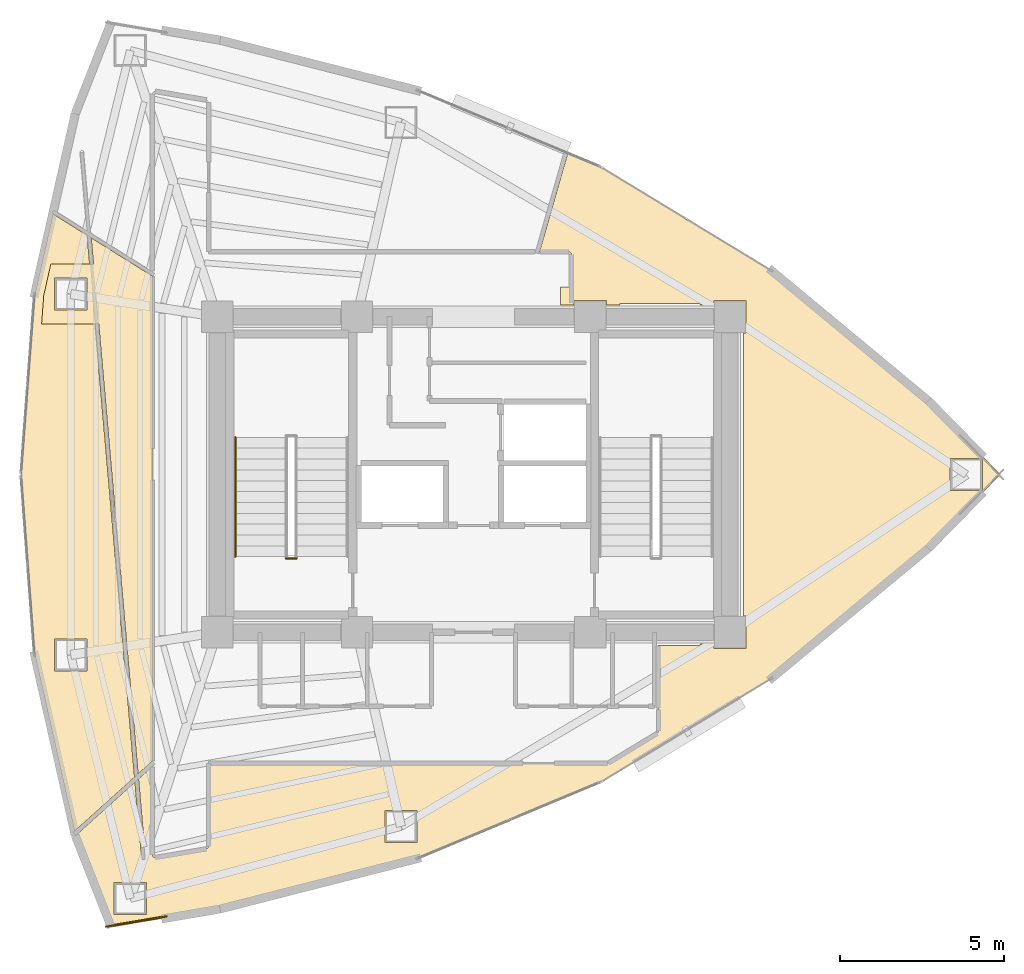
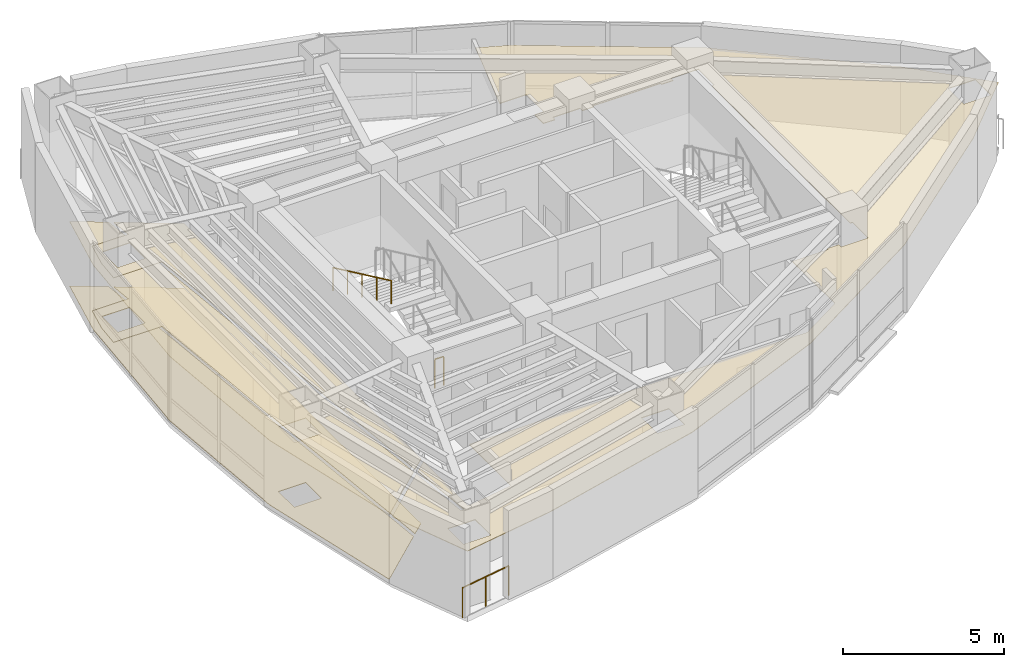
# One storey, part 14 of 16: 5 coverings, 3 railings.
"""IFC4 building model written with IfcOpenShell, lengths in metres."""

from ifc_helpers import new_model, si_unit, direction, frame, origin, origin_2d, place, context, subcontext, project, spatial, polyline, circle, outline, extrude, material, layer, layer_set, type_object, element, save


model = new_model("IFC4")

# Units and contexts
model_context = context("Model", 3, precision=1e-05, world=origin(), true_north=direction((0.0, 1.0)))
body_context = subcontext(model_context, "Body", "Model", "MODEL_VIEW")
ifc_project = project(units=[si_unit("LENGTHUNIT", "METRE"), si_unit("AREAUNIT", "SQUARE_METRE"), si_unit("VOLUMEUNIT", "CUBIC_METRE"), si_unit("PLANEANGLEUNIT", "RADIAN"), si_unit("MASSUNIT", "GRAM", prefix="KILO")], contexts=[model_context])

# Site, building, storey
site_placement = place(None, origin())
site = spatial("IfcSite", under=ifc_project, at=site_placement, CompositionType="ELEMENT")
building_placement = place(site_placement, origin())
building = spatial("IfcBuilding", under=site, at=building_placement, Name="Menara Vayukalpa", CompositionType="ELEMENT")
storey_placement = place(building_placement, frame((0.0, 0.0, 210.1201171875)))
storey = spatial("IfcBuildingStorey", under=building, at=storey_placement, Name="L53", CompositionType="ELEMENT", Elevation=210.1201171875)

# Coverings
ifc_material_1 = material(Name="Mineral Fibre Acoustic Ceiling Tile", Category="masonry")
ifc_layer_1 = layer(ifc_material_1, 0.02490234375)
ifc_layer_set_1 = layer_set([ifc_layer_1], Name="Mineral Fibre Acoustic Ceiling Tile")
covering_type_1 = type_object("IfcCoveringType", Name="COV-CLG1", PredefinedType="CEILING", material=ifc_layer_set_1)
covering_1_placement = place(storey_placement, frame((0.0, 0.0, 2.449951171875)))
element("IfcCovering", 1, at=covering_1_placement, inside=storey, type_object=covering_type_1, Name="L53 Open Plan Office Workplace Acoustic Ceiling", PredefinedType="CEILING", context=body_context, shape_type="SweptSolid", body=[
    extrude(outline(polyline([(11.84228515625, 22.0), (11.84228515625, 22.000732421875), (12.25390625, 27.48681640625), (12.25390625, 27.48828125), (12.79931640625, 29.912109375), (12.7998046875, 29.9130859375), (12.800048828125, 29.9140625), (12.800537109375, 29.9150390625), (12.801025390625, 29.915771484375), (12.8017578125, 29.91650390625), (12.802490234375, 29.917236328125), (12.80322265625, 29.91796875), (12.803955078125, 29.91845703125), (12.804931640625, 29.9189453125), (12.805908203125, 29.91943359375), (12.806884765625, 29.919677734375), (12.807861328125, 29.919921875), (12.808837890625, 29.919921875), (12.809814453125, 29.919921875), (12.810791015625, 29.919921875), (12.811767578125, 29.919677734375), (12.812744140625, 29.91943359375), (12.813720703125, 29.9189453125), (12.814453125, 29.91845703125), (13.83544921875, 29.280517578125), (13.836181640625, 29.27978515625), (13.837158203125, 29.279296875), (13.837890625, 29.278564453125), (13.83837890625, 29.277587890625), (13.839111328125, 29.27685546875), (13.83935546875, 29.27587890625), (13.83984375, 29.27490234375), (13.840087890625, 29.27392578125), (13.840087890625, 29.27294921875), (13.91650390625, 28.399169921875), (14.25390625, 28.399169921875), (14.25390625, 26.5791015625), (14.07568359375, 26.5791015625), (15.28173828125, 12.795654296875), (15.28173828125, 12.79443359375), (15.28173828125, 12.79345703125), (15.281494140625, 12.79248046875), (15.28125, 12.79150390625), (15.281005859375, 12.79052734375), (15.280517578125, 12.78955078125), (15.27978515625, 12.788818359375), (15.279296875, 12.7880859375), (15.278564453125, 12.787353515625), (13.47314453125, 11.16162109375), (13.472412109375, 11.160888671875), (13.471435546875, 11.160400390625), (13.470703125, 11.159912109375), (13.4697265625, 11.15966796875), (13.46875, 11.159423828125), (13.4677734375, 11.1591796875), (13.466796875, 11.1591796875), (13.4658203125, 11.1591796875), (13.46484375, 11.1591796875), (13.4638671875, 11.159423828125), (13.462890625, 11.15966796875), (13.4619140625, 11.16015625), (13.461181640625, 11.16064453125), (13.460205078125, 11.1611328125), (13.459716796875, 11.161865234375), (13.458984375, 11.16259765625), (13.458251953125, 11.163330078125), (13.457763671875, 11.1640625), (13.457275390625, 11.1650390625), (13.456787109375, 11.166015625), (13.45654296875, 11.1669921875), (12.25390625, 16.51171875), (12.25390625, 16.51318359375), (11.84228515625, 21.999267578125), (11.84228515625, 22.0)]), holes=[polyline([(13.833984375, 17.000732421875), (12.85400390625, 17.000732421875), (12.85400390625, 16.020751953125), (13.833984375, 16.020751953125), (13.833984375, 17.000732421875)]), polyline([(13.833984375, 27.979248046875), (12.85400390625, 27.979248046875), (12.85400390625, 26.999267578125), (13.833984375, 26.999267578125), (13.833984375, 27.979248046875)])]), origin(), (0.0, 0.0, 1.0), 0.02490234375),
])
covering_2_placement = place(storey_placement, frame((0.0, 0.0, 2.449951171875)))
element("IfcCovering", 2, at=covering_2_placement, inside=storey, type_object=covering_type_1, Name="L53 Open Plan Office Workplace Acoustic Ceiling", PredefinedType="CEILING", context=body_context, shape_type="SweptSolid", body=[
    extrude(outline(polyline([(32.909912109375, 16.85009765625), (32.909912109375, 16.7099609375), (33.889892578125, 16.7099609375), (33.889892578125, 17.68994140625), (33.81005859375, 17.68994140625), (33.81005859375, 26.31005859375), (33.889892578125, 26.31005859375), (33.889892578125, 27.2900390625), (32.909912109375, 27.2900390625), (32.909912109375, 27.14990234375), (32.489990234375, 27.14990234375), (32.489990234375, 27.2099609375), (30.06005859375, 27.2099609375), (30.06005859375, 27.14990234375), (29.639892578125, 27.14990234375), (29.639892578125, 27.2900390625), (28.659912109375, 27.2900390625), (28.659912109375, 27.14990234375), (28.239990234375, 27.14990234375), (28.239990234375, 27.7099609375), (28.570068359375, 27.7099609375), (28.570068359375, 28.69970703125), (28.569580078125, 28.706787109375), (28.568603515625, 28.713623046875), (28.56689453125, 28.72021484375), (28.564697265625, 28.726806640625), (28.561767578125, 28.73291015625), (28.55810546875, 28.73876953125), (28.553955078125, 28.744384765625), (28.549560546875, 28.74951171875), (28.54443359375, 28.75390625), (28.538818359375, 28.75830078125), (28.532958984375, 28.76171875), (28.52685546875, 28.7646484375), (28.520263671875, 28.76708984375), (28.513671875, 28.768798828125), (28.5068359375, 28.76953125), (28.499755859375, 28.77001953125), (27.616943359375, 28.77001953125), (27.615966796875, 28.77001953125), (27.614990234375, 28.770263671875), (27.614013671875, 28.7705078125), (27.61328125, 28.770751953125), (27.6123046875, 28.771240234375), (27.611572265625, 28.771728515625), (27.610595703125, 28.772216796875), (27.610107421875, 28.77294921875), (27.609375, 28.773681640625), (27.608642578125, 28.7744140625), (27.608154296875, 28.775146484375), (27.60791015625, 28.776123046875), (27.607421875, 28.777099609375), (27.607177734375, 28.77783203125), (27.607177734375, 28.77880859375), (27.60693359375, 28.77978515625), (27.60693359375, 28.78076171875), (27.607177734375, 28.78173828125), (27.607421875, 28.78271484375), (28.459228515625, 31.75390625), (28.459716796875, 31.754638671875), (28.4599609375, 31.755615234375), (28.46044921875, 31.756591796875), (28.461181640625, 31.75732421875), (28.4619140625, 31.758056640625), (28.46240234375, 31.7587890625), (28.46337890625, 31.75927734375), (28.464111328125, 31.759765625), (28.465087890625, 31.76025390625), (28.466064453125, 31.760498046875), (28.466796875, 31.7607421875), (28.468017578125, 31.760986328125), (28.468994140625, 31.760986328125), (28.469970703125, 31.760986328125), (28.470947265625, 31.7607421875), (28.4716796875, 31.760498046875), (28.472900390625, 31.76025390625), (29.478515625, 31.33935546875), (29.479248046875, 31.339111328125), (29.47998046875, 31.338623046875), (34.660888671875, 28.19140625), (34.662109375, 28.190673828125), (39.431884765625, 24.235107421875), (39.4326171875, 24.234375), (41.61962890625, 22.007080078125), (41.620361328125, 22.00634765625), (41.620849609375, 22.005615234375), (41.621337890625, 22.004638671875), (41.621826171875, 22.00390625), (41.6220703125, 22.0029296875), (41.622314453125, 22.001953125), (41.62255859375, 22.0009765625), (41.62255859375, 22.0), (41.62255859375, 21.9990234375), (41.622314453125, 21.998046875), (41.6220703125, 21.9970703125), (41.621826171875, 21.99609375), (41.621337890625, 21.995361328125), (41.620849609375, 21.994384765625), (41.620361328125, 21.99365234375), (41.61962890625, 21.992919921875), (39.4326171875, 19.765625), (39.431884765625, 19.764892578125), (34.662109375, 15.809326171875), (34.660888671875, 15.80859375), (29.47998046875, 12.661376953125), (29.479248046875, 12.660888671875), (29.478515625, 12.66064453125), (23.885986328125, 10.3212890625), (23.884765625, 10.32080078125), (17.8798828125, 8.789306640625), (17.879150390625, 8.7890625), (14.59423828125, 8.2314453125), (14.59326171875, 8.231201171875), (14.59228515625, 8.231201171875), (14.59130859375, 8.2314453125), (14.59033203125, 8.2314453125), (14.58935546875, 8.231689453125), (14.58837890625, 8.232177734375), (14.587646484375, 8.232666015625), (14.5869140625, 8.233154296875), (14.5859375, 8.233642578125), (14.585205078125, 8.234375), (14.584716796875, 8.235107421875), (14.583984375, 8.23583984375), (14.58349609375, 8.23681640625), (14.583251953125, 8.237548828125), (13.494140625, 11.010498046875), (13.493896484375, 11.011474609375), (13.49365234375, 11.012451171875), (13.493408203125, 11.01318359375), (13.493408203125, 11.014404296875), (13.49365234375, 11.015380859375), (13.49365234375, 11.01611328125), (13.493896484375, 11.01708984375), (13.494384765625, 11.01806640625), (13.49462890625, 11.018798828125), (13.4951171875, 11.019775390625), (13.49560546875, 11.0205078125), (13.496337890625, 11.021240234375), (13.4970703125, 11.02197265625), (13.498779296875, 11.023193359375), (15.280517578125, 12.62744140625), (15.28125, 12.6279296875), (15.281982421875, 12.628662109375), (15.28271484375, 12.62890625), (15.28369140625, 12.62939453125), (15.28466796875, 12.629638671875), (15.28564453125, 12.6298828125), (15.28662109375, 12.6298828125), (15.28759765625, 12.6298828125), (15.288330078125, 12.6298828125), (15.289306640625, 12.629638671875), (15.290283203125, 12.62939453125), (15.291259765625, 12.629150390625), (15.2919921875, 12.628662109375), (15.29296875, 12.628173828125), (15.293701171875, 12.627685546875), (15.294189453125, 12.626953125), (15.294921875, 12.626220703125), (15.29541015625, 12.62548828125), (15.2958984375, 12.62451171875), (15.29638671875, 12.623779296875), (15.296630859375, 12.622802734375), (15.296875, 12.621826171875), (15.297119140625, 12.620849609375), (15.501953125, 10.279052734375), (15.502685546875, 10.27294921875), (15.504150390625, 10.26708984375), (15.506103515625, 10.26171875), (15.508544921875, 10.256103515625), (15.511474609375, 10.251220703125), (15.514892578125, 10.246337890625), (15.518798828125, 10.241943359375), (15.523193359375, 10.238037109375), (15.52783203125, 10.234619140625), (15.532958984375, 10.2314453125), (15.5380859375, 10.228759765625), (15.543701171875, 10.226806640625), (15.54931640625, 10.225341796875), (15.55517578125, 10.224365234375), (15.56103515625, 10.22412109375), (15.56689453125, 10.22412109375), (15.57275390625, 10.22509765625), (15.57861328125, 10.226318359375), (15.583984375, 10.228271484375), (15.589599609375, 10.230712890625), (15.594482421875, 10.233642578125), (15.599365234375, 10.2373046875), (15.603759765625, 10.2412109375), (15.607666015625, 10.245361328125), (15.611083984375, 10.25), (15.6142578125, 10.255126953125), (15.616943359375, 10.260498046875), (15.618896484375, 10.26611328125), (15.62060546875, 10.271484375), (15.621337890625, 10.27734375), (15.62158203125, 10.283203125), (15.62158203125, 10.28955078125), (15.407470703125, 12.736328125), (15.407470703125, 12.737548828125), (15.407470703125, 12.738525390625), (15.40771484375, 12.739501953125), (15.407958984375, 12.740478515625), (15.408203125, 12.741455078125), (15.40869140625, 12.7421875), (15.4091796875, 12.7431640625), (15.409912109375, 12.743896484375), (15.41064453125, 12.74462890625), (15.813232421875, 13.107421875), (15.814208984375, 13.10791015625), (15.81494140625, 13.1083984375), (15.81591796875, 13.10888671875), (15.816650390625, 13.109375), (15.817626953125, 13.109619140625), (15.818603515625, 13.10986328125), (15.819580078125, 13.10986328125), (15.82080078125, 13.10986328125), (15.82177734375, 13.10986328125), (15.82275390625, 13.109619140625), (15.823486328125, 13.109130859375), (15.824462890625, 13.10888671875), (15.825439453125, 13.1083984375), (15.826171875, 13.107666015625), (15.826904296875, 13.107177734375), (15.82763671875, 13.1064453125), (15.828125, 13.105712890625), (15.828857421875, 13.104736328125), (15.8291015625, 13.103759765625), (15.82958984375, 13.102783203125), (15.829833984375, 13.101806640625), (15.829833984375, 13.100830078125), (15.830078125, 13.099853515625), (15.830078125, 10.421142578125), (15.830322265625, 10.414306640625), (15.831298828125, 10.407470703125), (15.8330078125, 10.40087890625), (15.835205078125, 10.39453125), (15.837890625, 10.388427734375), (15.841552734375, 10.382568359375), (15.845458984375, 10.376953125), (15.849853515625, 10.3720703125), (15.854736328125, 10.367431640625), (15.860107421875, 10.36328125), (15.865966796875, 10.35986328125), (15.8720703125, 10.356689453125), (15.87841796875, 10.354248046875), (15.884765625, 10.3525390625), (15.8916015625, 10.351318359375), (15.898193359375, 10.350830078125), (15.905029296875, 10.35107421875), (15.912109375, 10.351806640625), (17.471435546875, 10.61669921875), (17.478515625, 10.6181640625), (17.485107421875, 10.62060546875), (17.49169921875, 10.623291015625), (17.497802734375, 10.626708984375), (17.50341796875, 10.630859375), (17.508544921875, 10.635498046875), (17.513427734375, 10.640625), (17.517822265625, 10.646240234375), (17.521484375, 10.652099609375), (17.5244140625, 10.658447265625), (17.52685546875, 10.664794921875), (17.528564453125, 10.671875), (17.529541015625, 10.6787109375), (17.530029296875, 10.685791015625), (17.530029296875, 13.2099609375), (17.530029296875, 13.2109375), (17.5302734375, 13.2119140625), (17.530517578125, 13.212890625), (17.53076171875, 13.2138671875), (17.53125, 13.214599609375), (17.53173828125, 13.215576171875), (17.5322265625, 13.21630859375), (17.532958984375, 13.217041015625), (17.53369140625, 13.2177734375), (17.534423828125, 13.21826171875), (17.535400390625, 13.21875), (17.5361328125, 13.21923828125), (17.537109375, 13.219482421875), (17.5380859375, 13.2197265625), (17.5390625, 13.219970703125), (17.5400390625, 13.219970703125), (29.667236328125, 13.219970703125), (29.673828125, 13.22021484375), (29.68017578125, 13.22119140625), (29.686279296875, 13.22265625), (29.6923828125, 13.224609375), (29.6982421875, 13.22705078125), (29.7041015625, 13.230224609375), (31.18603515625, 14.130615234375), (31.1923828125, 14.134765625), (31.19775390625, 14.139404296875), (31.20263671875, 14.14453125), (31.20703125, 14.150146484375), (31.2109375, 14.15625), (31.214111328125, 14.16259765625), (31.216552734375, 14.16943359375), (31.218505859375, 14.176513671875), (31.219482421875, 14.183349609375), (31.219970703125, 14.19091796875), (31.219970703125, 14.849609375), (31.219482421875, 14.856689453125), (31.21875, 14.86376953125), (31.217041015625, 14.870361328125), (31.214599609375, 14.876708984375), (31.2119140625, 14.8828125), (31.211669921875, 14.883056640625), (31.211181640625, 14.8837890625), (31.210693359375, 14.884765625), (31.21044921875, 14.8857421875), (31.210205078125, 14.88671875), (31.2099609375, 14.8876953125), (31.2099609375, 14.888671875), (31.2099609375, 16.780029296875), (31.2099609375, 16.781005859375), (31.210205078125, 16.781982421875), (31.21044921875, 16.782958984375), (31.210693359375, 16.78369140625), (31.211181640625, 16.78466796875), (31.211669921875, 16.78564453125), (31.21240234375, 16.786376953125), (31.212890625, 16.787109375), (31.213623046875, 16.78759765625), (31.21435546875, 16.788330078125), (31.21533203125, 16.788818359375), (31.21630859375, 16.789306640625), (31.217041015625, 16.78955078125), (31.218017578125, 16.789794921875), (31.218994140625, 16.7900390625), (31.219970703125, 16.7900390625), (32.489990234375, 16.7900390625), (32.489990234375, 16.85009765625), (32.909912109375, 16.85009765625)]), holes=[polyline([(14.664794921875, 9.58740234375), (14.664794921875, 8.607421875), (15.644775390625, 8.607421875), (15.644775390625, 9.58740234375), (14.664794921875, 9.58740234375)]), polyline([(23.87939453125, 11.781494140625), (22.8994140625, 11.781494140625), (22.8994140625, 10.801513671875), (23.87939453125, 10.801513671875), (23.87939453125, 11.781494140625)]), polyline([(41.08056640625, 22.489990234375), (40.1005859375, 22.489990234375), (40.1005859375, 21.510009765625), (41.08056640625, 21.510009765625), (41.08056640625, 22.489990234375)])]), origin(), (0.0, 0.0, 1.0), 0.02490234375),
])
covering_3_placement = place(storey_placement, frame((0.0, 0.0, 2.449951171875)))
element("IfcCovering", 3, at=covering_3_placement, inside=storey, type_object=covering_type_1, Name="L53 Visitor Reception Lounge Acoustic Ceiling", PredefinedType="CEILING", context=body_context, shape_type="SweptSolid", body=[
    extrude(outline(polyline([(15.829833984375, 13.286376953125), (15.82958984375, 13.285400390625), (15.829345703125, 13.28466796875), (15.828857421875, 13.28369140625), (15.82861328125, 13.282958984375), (15.827880859375, 13.281982421875), (15.827392578125, 13.281494140625), (15.82666015625, 13.28076171875), (15.40869140625, 12.904541015625), (15.407958984375, 12.904052734375), (15.4072265625, 12.9033203125), (15.406494140625, 12.903076171875), (15.405517578125, 12.902587890625), (15.404541015625, 12.90234375), (15.403564453125, 12.902099609375), (15.402587890625, 12.902099609375), (15.401611328125, 12.902099609375), (15.40087890625, 12.902099609375), (15.39990234375, 12.90234375), (15.39892578125, 12.902587890625), (15.39794921875, 12.90283203125), (15.397216796875, 12.9033203125), (15.396240234375, 12.90380859375), (15.3955078125, 12.904296875), (15.39501953125, 12.905029296875), (15.394287109375, 12.90576171875), (15.393798828125, 12.906494140625), (15.393310546875, 12.907470703125), (15.392822265625, 12.908203125), (15.392578125, 12.9091796875), (15.392333984375, 12.91015625), (15.39208984375, 12.9111328125), (14.1962890625, 26.5791015625), (12.45654296875, 26.5791015625), (12.521728515625, 27.44775390625), (12.73583984375, 28.399169921875), (14.037109375, 28.399169921875), (13.968994140625, 29.17822265625), (13.968994140625, 29.17919921875), (13.968994140625, 29.18017578125), (13.968994140625, 29.18115234375), (13.96923828125, 29.181884765625), (13.9697265625, 29.182861328125), (13.97021484375, 29.183837890625), (13.970703125, 29.1845703125), (13.97119140625, 29.185302734375), (13.9716796875, 29.18603515625), (13.972412109375, 29.186767578125), (13.973388671875, 29.1875), (13.97412109375, 29.18798828125), (13.97509765625, 29.188232421875), (13.975830078125, 29.188720703125), (13.976806640625, 29.18896484375), (13.977783203125, 29.18896484375), (13.978759765625, 29.189208984375), (13.979736328125, 29.189208984375), (13.980712890625, 29.18896484375), (13.981689453125, 29.188720703125), (13.982421875, 29.1884765625), (13.9833984375, 29.18798828125), (13.984130859375, 29.1875), (15.8251953125, 28.037109375), (15.826171875, 28.03662109375), (15.826904296875, 28.035888671875), (15.82763671875, 28.03515625), (15.828125, 28.034423828125), (15.82861328125, 28.033447265625), (15.8291015625, 28.03271484375), (15.82958984375, 28.03173828125), (15.829833984375, 28.03076171875), (15.829833984375, 28.02978515625), (15.830078125, 28.02880859375), (15.830078125, 13.2880859375), (15.830078125, 13.287353515625), (15.829833984375, 13.286376953125)]), holes=[polyline([(13.833984375, 27.979248046875), (12.85400390625, 27.979248046875), (12.85400390625, 26.999267578125), (13.833984375, 26.999267578125), (13.833984375, 27.979248046875)])]), origin(), (0.0, 0.0, 1.0), 0.02490234375),
])
ifc_material_2 = material(Name="Porcelain Stoneware Floor Tile", Category="masonry")
ifc_layer_2 = layer(ifc_material_2, 0.02001953125)
ifc_layer_set_2 = layer_set([ifc_layer_2], Name="Porcelain Stoneware Floor Tile")
covering_type_2 = type_object("IfcCoveringType", Name="COV-FLR1", PredefinedType="FLOORING", material=ifc_layer_set_2)
covering_4_placement = place(storey_placement, origin())
element("IfcCovering", 4, at=covering_4_placement, inside=storey, type_object=covering_type_2, Name="L53 Open Plan Office Workplace Porcelain Flooring", PredefinedType="FLOORING", context=body_context, shape_type="SweptSolid", body=[
    extrude(outline(polyline([(11.84228515625, 22.0), (11.84228515625, 22.000732421875), (12.25390625, 27.48681640625), (12.25390625, 27.48828125), (12.79931640625, 29.912109375), (12.7998046875, 29.9130859375), (12.800048828125, 29.9140625), (12.800537109375, 29.9150390625), (12.801025390625, 29.915771484375), (12.8017578125, 29.91650390625), (12.802490234375, 29.917236328125), (12.80322265625, 29.91796875), (12.803955078125, 29.91845703125), (12.804931640625, 29.9189453125), (12.805908203125, 29.91943359375), (12.806884765625, 29.919677734375), (12.807861328125, 29.919921875), (12.808837890625, 29.919921875), (12.809814453125, 29.919921875), (12.810791015625, 29.919921875), (12.811767578125, 29.919677734375), (12.812744140625, 29.91943359375), (12.813720703125, 29.9189453125), (12.814453125, 29.91845703125), (13.83544921875, 29.280517578125), (13.836181640625, 29.27978515625), (13.837158203125, 29.279296875), (13.837890625, 29.278564453125), (13.83837890625, 29.277587890625), (13.839111328125, 29.27685546875), (13.83935546875, 29.27587890625), (13.83984375, 29.27490234375), (13.840087890625, 29.27392578125), (13.840087890625, 29.27294921875), (13.91650390625, 28.399169921875), (14.25390625, 28.399169921875), (14.25390625, 26.5791015625), (14.07568359375, 26.5791015625), (15.28173828125, 12.795654296875), (15.28173828125, 12.79443359375), (15.28173828125, 12.79345703125), (15.281494140625, 12.79248046875), (15.28125, 12.79150390625), (15.281005859375, 12.79052734375), (15.280517578125, 12.78955078125), (15.27978515625, 12.788818359375), (15.279296875, 12.7880859375), (15.278564453125, 12.787353515625), (13.47314453125, 11.16162109375), (13.472412109375, 11.160888671875), (13.471435546875, 11.160400390625), (13.470703125, 11.159912109375), (13.4697265625, 11.15966796875), (13.46875, 11.159423828125), (13.4677734375, 11.1591796875), (13.466796875, 11.1591796875), (13.4658203125, 11.1591796875), (13.46484375, 11.1591796875), (13.4638671875, 11.159423828125), (13.462890625, 11.15966796875), (13.4619140625, 11.16015625), (13.461181640625, 11.16064453125), (13.460205078125, 11.1611328125), (13.459716796875, 11.161865234375), (13.458984375, 11.16259765625), (13.458251953125, 11.163330078125), (13.457763671875, 11.1640625), (13.457275390625, 11.1650390625), (13.456787109375, 11.166015625), (13.45654296875, 11.1669921875), (12.25390625, 16.51171875), (12.25390625, 16.51318359375), (11.84228515625, 21.999267578125), (11.84228515625, 22.0)]), holes=[polyline([(13.833984375, 17.000732421875), (12.85400390625, 17.000732421875), (12.85400390625, 16.020751953125), (13.833984375, 16.020751953125), (13.833984375, 17.000732421875)]), polyline([(13.833984375, 27.979248046875), (12.85400390625, 27.979248046875), (12.85400390625, 26.999267578125), (13.833984375, 26.999267578125), (13.833984375, 27.979248046875)])]), origin(), (0.0, 0.0, 1.0), 0.019775390625),
])
covering_5_placement = place(storey_placement, origin())
element("IfcCovering", 5, at=covering_5_placement, inside=storey, type_object=covering_type_2, Name="L53 Visitor Reception Lounge Porcelain Flooring", PredefinedType="FLOORING", context=body_context, shape_type="SweptSolid", body=[
    extrude(outline(polyline([(15.829833984375, 13.286376953125), (15.82958984375, 13.285400390625), (15.829345703125, 13.28466796875), (15.828857421875, 13.28369140625), (15.82861328125, 13.282958984375), (15.827880859375, 13.281982421875), (15.827392578125, 13.281494140625), (15.82666015625, 13.28076171875), (15.40869140625, 12.904541015625), (15.407958984375, 12.904052734375), (15.4072265625, 12.9033203125), (15.406494140625, 12.903076171875), (15.405517578125, 12.902587890625), (15.404541015625, 12.90234375), (15.403564453125, 12.902099609375), (15.402587890625, 12.902099609375), (15.401611328125, 12.902099609375), (15.40087890625, 12.902099609375), (15.39990234375, 12.90234375), (15.39892578125, 12.902587890625), (15.39794921875, 12.90283203125), (15.397216796875, 12.9033203125), (15.396240234375, 12.90380859375), (15.3955078125, 12.904296875), (15.39501953125, 12.905029296875), (15.394287109375, 12.90576171875), (15.393798828125, 12.906494140625), (15.393310546875, 12.907470703125), (15.392822265625, 12.908203125), (15.392578125, 12.9091796875), (15.392333984375, 12.91015625), (15.39208984375, 12.9111328125), (14.1962890625, 26.5791015625), (12.45654296875, 26.5791015625), (12.521728515625, 27.44775390625), (12.73583984375, 28.399169921875), (14.037109375, 28.399169921875), (13.968994140625, 29.17822265625), (13.968994140625, 29.17919921875), (13.968994140625, 29.18017578125), (13.968994140625, 29.18115234375), (13.96923828125, 29.181884765625), (13.9697265625, 29.182861328125), (13.97021484375, 29.183837890625), (13.970703125, 29.1845703125), (13.97119140625, 29.185302734375), (13.9716796875, 29.18603515625), (13.972412109375, 29.186767578125), (13.973388671875, 29.1875), (13.97412109375, 29.18798828125), (13.97509765625, 29.188232421875), (13.975830078125, 29.188720703125), (13.976806640625, 29.18896484375), (13.977783203125, 29.18896484375), (13.978759765625, 29.189208984375), (13.979736328125, 29.189208984375), (13.980712890625, 29.18896484375), (13.981689453125, 29.188720703125), (13.982421875, 29.1884765625), (13.9833984375, 29.18798828125), (13.984130859375, 29.1875), (15.8251953125, 28.037109375), (15.826171875, 28.03662109375), (15.826904296875, 28.035888671875), (15.82763671875, 28.03515625), (15.828125, 28.034423828125), (15.82861328125, 28.033447265625), (15.8291015625, 28.03271484375), (15.82958984375, 28.03173828125), (15.829833984375, 28.03076171875), (15.829833984375, 28.02978515625), (15.830078125, 28.02880859375), (15.830078125, 13.2880859375), (15.830078125, 13.287353515625), (15.829833984375, 13.286376953125)]), holes=[polyline([(13.833984375, 27.979248046875), (12.85400390625, 27.979248046875), (12.85400390625, 26.999267578125), (13.833984375, 26.999267578125), (13.833984375, 27.979248046875)])]), origin(), (0.0, 0.0, 1.0), 0.019775390625),
])

# Railings
ifc_material_3 = material(Name="Laminated Glass and Stainless Steel 316 Guardrail", Category="steel")
railing_type_1 = type_object("IfcRailingType", Name="RLG-EXT115", PredefinedType="GUARDRAIL", material=ifc_material_3)
railing_1_placement = place(storey_placement, frame((14.413818359375, 8.241455078125, 0.0)))
element("IfcRailing", 6, at=railing_1_placement, inside=storey, type_object=railing_type_1, Name="L53 Column Corner Spandrel Guardrail 14-1", PredefinedType="GUARDRAIL", context=body_context, shape_type="SweptSolid", body=[
    extrude(circle(Radius=0.02392578125, at=origin_2d()), frame((0.0, 0.0, 1.1259765625), z_axis=(0.985895107684, 0.167364382844, 0.0), x_axis=(-0.167364382844, 0.985895107684, 0.0)), (0.0, 0.0, 1.0), 1.86865234375),
    extrude(circle(Radius=0.02099609375, at=origin_2d()), origin(), (0.0, 0.0, 1.0), 1.101806640625),
    extrude(circle(Radius=0.02099609375, at=origin_2d()), frame((0.921142578125, 0.15625, 0.0)), (0.0, 0.0, 1.0), 1.101806640625),
    extrude(circle(Radius=0.02099609375, at=origin_2d()), frame((1.84228515625, 0.312744140625, 0.0)), (0.0, 0.0, 1.0), 1.101806640625),
])
ifc_material_4 = material(Name="Powder-Coated Galvanised Steel Guardrail", Category="steel")
railing_type_2 = type_object("IfcRailingType", Name="RLG-STG110", PredefinedType="GUARDRAIL", material=ifc_material_4)
railing_2_placement = place(storey_placement, frame((20.2099609375, 19.449951171875, 0.0)))
element("IfcRailing", 7, at=railing_2_placement, inside=storey, type_object=railing_type_2, Name="L53 ST-1 stair guard 4", PredefinedType="GUARDRAIL", context=body_context, shape_type="SweptSolid", body=[
    extrude(circle(Radius=0.02392578125, at=origin_2d()), frame((0.0, 0.0, 1.09619140625), z_axis=(-1.0, 0.0, 0.0), x_axis=(0.0, -1.0, 0.0)), (0.0, 0.0, 1.0), 0.320068359375),
    extrude(circle(Radius=0.02099609375, at=origin_2d()), origin(), (0.0, 0.0, 1.0), 1.072021484375),
    extrude(circle(Radius=0.02099609375, at=origin_2d()), frame((-0.320068359375, 0.0, 0.0)), (0.0, 0.0, 1.0), 1.072021484375),
])
ifc_material_5 = material(Name="Stainless Steel 316 Tubular Handrail", Category="steel")
railing_type_3 = type_object("IfcRailingType", Name="RLG-STH090", PredefinedType="HANDRAIL", material=ifc_material_5)
railing_3_placement = place(storey_placement, frame((18.35009765625, 23.1298828125, 2.014892578125)))
element("IfcRailing", 8, at=railing_3_placement, inside=storey, type_object=railing_type_3, Name="L53 ST-1 stair handrail 2", PredefinedType="HANDRAIL", context=body_context, shape_type="SweptSolid", body=[
    extrude(circle(Radius=0.02392578125, at=origin_2d()), frame((0.0, 0.0, 0.8759765625), z_axis=(0.0, -0.90511648382, 0.425163675209), x_axis=(1.0, 0.0, 0.0)), (0.0, 0.0, 1.0), 4.010498046875),
    extrude(circle(Radius=0.02099609375, at=origin_2d()), origin(), (0.0, 0.0, 1.0), 0.851806640625),
    extrude(circle(Radius=0.02099609375, at=origin_2d()), frame((0.0, -0.907470703125, 0.42626953125)), (0.0, 0.0, 1.0), 0.851806640625),
    extrude(circle(Radius=0.02099609375, at=origin_2d()), frame((0.0, -1.81494140625, 0.8525390625)), (0.0, 0.0, 1.0), 0.851806640625),
    extrude(circle(Radius=0.02099609375, at=origin_2d()), frame((0.0, -2.722412109375, 1.27880859375)), (0.0, 0.0, 1.0), 0.851806640625),
    extrude(circle(Radius=0.02099609375, at=origin_2d()), frame((0.0, -3.6298828125, 1.705078125)), (0.0, 0.0, 1.0), 0.851806640625),
])

save(model, "model.ifc")
